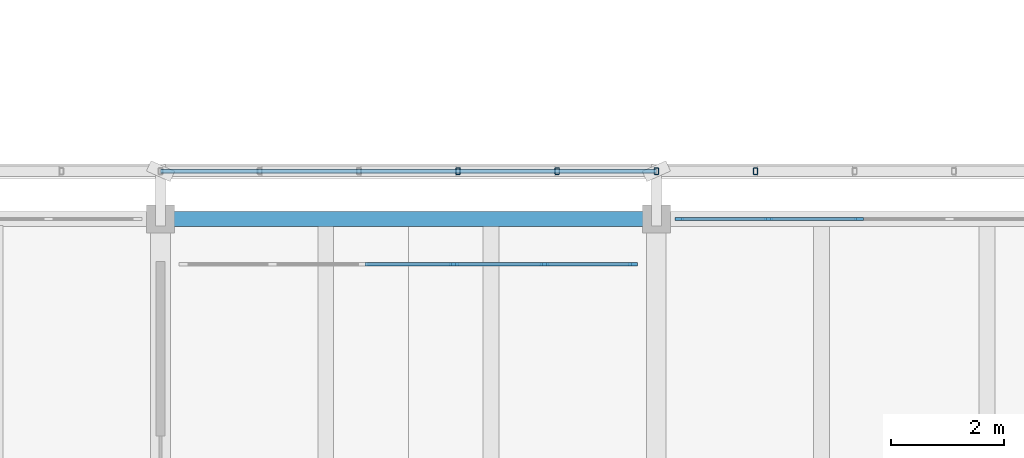
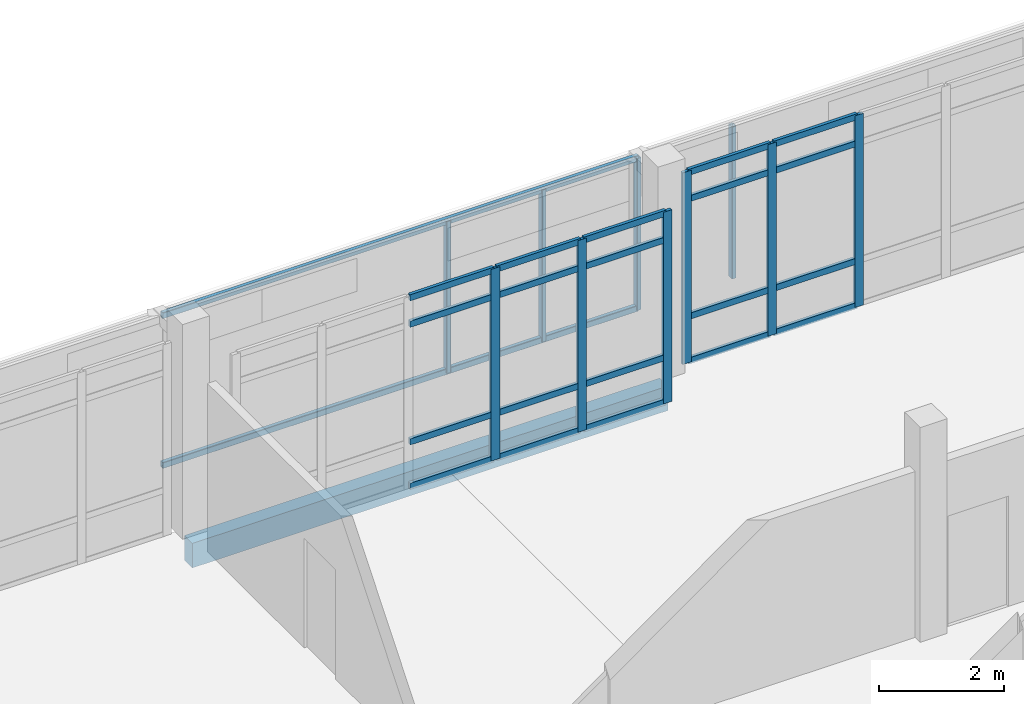
# One storey, part 30 of 137: 32 members, 1 beam, 2 elements without a shape of their own.
"""IFC4 building model written with IfcOpenShell, lengths in metres."""

from ifc_helpers import new_model, si_unit, direction, frame, origin, origin_2d, place, context, subcontext, project, spatial, rectangle, hollow_rectangle, extrude, material, material_profile, profile_set, type_object, element, aggregate, save


model = new_model("IFC4")

# Units and contexts
model_context = context("Model", 3, precision=1e-05, world=origin(), true_north=direction((0.0, 1.0)))
body_context = subcontext(model_context, "Body", "Model", "MODEL_VIEW")
ifc_project = project(units=[si_unit("LENGTHUNIT", "METRE"), si_unit("AREAUNIT", "SQUARE_METRE"), si_unit("VOLUMEUNIT", "CUBIC_METRE"), si_unit("PLANEANGLEUNIT", "RADIAN"), si_unit("MASSUNIT", "GRAM", prefix="KILO")], contexts=[model_context])

# Site, building, storey
site_placement = place(None, origin())
site = spatial("IfcSite", under=ifc_project, at=site_placement, CompositionType="ELEMENT")
building_placement = place(site_placement, origin())
building = spatial("IfcBuilding", under=site, at=building_placement, Name="Cinderway Yard Community Centre", CompositionType="ELEMENT")
storey_placement = place(building_placement, frame((0.0, 0.0, 4.800048828125)))
storey = spatial("IfcBuildingStorey", under=building, at=storey_placement, Name="L01", CompositionType="ELEMENT", Elevation=4.800048828125)

# Curtain wall, members
ifc_material_1 = material(Name="Aluminium 6063-T6", Category="aluminium")
curtain_wall_type = type_object("IfcCurtainWallType", Name="ENV-CW-TYPE-27", PredefinedType="USERDEFINED", material=ifc_material_1)
curtain_wall_1_placement = place(storey_placement, origin())
curtain_wall_1 = element("IfcCurtainWall", 1, at=curtain_wall_1_placement, inside=storey, type_object=curtain_wall_type, Name="Dining Courtyard Curtain Wall ENV-CW-L01-ST-0096", ObjectType="GLAZED CURTAIN WALL", PredefinedType="USERDEFINED")
ifc_material_profile_1 = material_profile(ifc_material_1, rectangle(XDim=0.06005859375, YDim=0.159912109375, at=origin_2d()), Name="Aluminium 6063-T6")
ifc_profile_set_1 = profile_set([ifc_material_profile_1], Name="Aluminium 6063-T6")
member_type_1 = type_object("IfcMemberType", Name="ENV-CW-MULL-150", PredefinedType="MULLION", material=ifc_profile_set_1)
member_1_placement = place(storey_placement, frame((89.2041015625, 22.0, 0.0), z_axis=(0.0, 0.0, 1.0), x_axis=(0.0, 1.0, 0.0)))
member_1 = element("IfcMember", 2, at=member_1_placement, type_object=member_type_1, Name="CW-27 mullion 4", PredefinedType="MULLION", context=body_context, shape_type="SweptSolid", body=[
    extrude(rectangle(XDim=0.06005859375, YDim=0.159912109375, at=origin_2d()), origin(), (0.0, 0.0, 1.0), 3.75),
])
member_2_placement = place(storey_placement, frame((90.81201171875, 22.0, 0.0), z_axis=(0.0, 0.0, 1.0), x_axis=(0.0, 1.0, 0.0)))
member_2 = element("IfcMember", 3, at=member_2_placement, type_object=member_type_1, Name="CW-27 mullion 5", PredefinedType="MULLION", context=body_context, shape_type="SweptSolid", body=[
    extrude(rectangle(XDim=0.06005859375, YDim=0.159912109375, at=origin_2d()), origin(), (0.0, 0.0, 1.0), 3.75),
])
member_3_placement = place(storey_placement, frame((92.389892578125, 22.0, 0.0), z_axis=(0.0, 0.0, 1.0), x_axis=(0.0, 1.0, 0.0)))
member_3 = element("IfcMember", 4, at=member_3_placement, type_object=member_type_1, Name="CW-27 mullion 6", PredefinedType="MULLION", context=body_context, shape_type="SweptSolid", body=[
    extrude(rectangle(XDim=0.06005859375, YDim=0.159912109375, at=origin_2d()), origin(), (0.0, 0.0, 1.0), 3.75),
])

curtain_wall_2_placement = place(storey_placement, origin())
curtain_wall_2 = element("IfcCurtainWall", 5, at=curtain_wall_2_placement, inside=storey, type_object=curtain_wall_type, Name="Dining Courtyard Curtain Wall ENV-CW-L01-ST-0097", ObjectType="GLAZED CURTAIN WALL", PredefinedType="USERDEFINED")
member_4_placement = place(storey_placement, frame((93.2099609375, 22.800048828125, 0.0), z_axis=(0.0, 0.0, 1.0), x_axis=(0.0, 1.0, 0.0)))
member_4 = element("IfcMember", 6, at=member_4_placement, type_object=member_type_1, Name="CW-27 mullion 1", PredefinedType="MULLION", context=body_context, shape_type="SweptSolid", body=[
    extrude(rectangle(XDim=0.06005859375, YDim=0.159912109375, at=origin_2d()), origin(), (0.0, 0.0, 1.0), 3.75),
])
member_5_placement = place(storey_placement, frame((94.7880859375, 22.800048828125, 0.0), z_axis=(0.0, 0.0, 1.0), x_axis=(0.0, 1.0, 0.0)))
member_5 = element("IfcMember", 7, at=member_5_placement, type_object=member_type_1, Name="CW-27 mullion 2", PredefinedType="MULLION", context=body_context, shape_type="SweptSolid", body=[
    extrude(rectangle(XDim=0.06005859375, YDim=0.159912109375, at=origin_2d()), origin(), (0.0, 0.0, 1.0), 3.75),
])
member_6_placement = place(storey_placement, frame((96.39599609375, 22.800048828125, 0.0), z_axis=(0.0, 0.0, 1.0), x_axis=(0.0, 1.0, 0.0)))
member_6 = element("IfcMember", 8, at=member_6_placement, type_object=member_type_1, Name="CW-27 mullion 3", PredefinedType="MULLION", context=body_context, shape_type="SweptSolid", body=[
    extrude(rectangle(XDim=0.06005859375, YDim=0.159912109375, at=origin_2d()), origin(), (0.0, 0.0, 1.0), 3.75),
])

# Member
ifc_material_profile_2 = material_profile(ifc_material_1, rectangle(XDim=0.06005859375, YDim=0.1201171875, at=origin_2d()), Name="Aluminium 6063-T6")
ifc_profile_set_2 = profile_set([ifc_material_profile_2], Name="Aluminium 6063-T6")
member_type_2 = type_object("IfcMemberType", Name="ENV-CW-TRAN-110", PredefinedType="USERDEFINED", material=ifc_profile_set_2)
member_7_placement = place(storey_placement, frame((87.6259765625, 22.0, 0.030029296875), z_axis=(1.0, 0.0, 0.0), x_axis=(0.0, 1.0, 0.0)))
member_7 = element("IfcMember", 9, at=member_7_placement, type_object=member_type_2, Name="CW-27 transom 3.1", ObjectType="TRANSOM", PredefinedType="USERDEFINED", context=body_context, shape_type="SweptSolid", body=[
    extrude(rectangle(XDim=0.06005859375, YDim=0.1201171875, at=origin_2d()), origin(), (0.0, 0.0, 1.0), 1.548095703125),
])

member_8_placement = place(storey_placement, frame((87.6259765625, 22.0, 0.89990234375), z_axis=(1.0, 0.0, 0.0), x_axis=(0.0, 1.0, 0.0)))
member_8 = element("IfcMember", 10, at=member_8_placement, type_object=member_type_2, Name="CW-27 transom 3.2", ObjectType="TRANSOM", PredefinedType="USERDEFINED", context=body_context, shape_type="SweptSolid", body=[
    extrude(rectangle(XDim=0.06005859375, YDim=0.1201171875, at=origin_2d()), origin(), (0.0, 0.0, 1.0), 1.548095703125),
])

member_9_placement = place(storey_placement, frame((87.6259765625, 22.0, 3.199951171875), z_axis=(1.0, 0.0, 0.0), x_axis=(0.0, 1.0, 0.0)))
member_9 = element("IfcMember", 11, at=member_9_placement, type_object=member_type_2, Name="CW-27 transom 3.3", ObjectType="TRANSOM", PredefinedType="USERDEFINED", context=body_context, shape_type="SweptSolid", body=[
    extrude(rectangle(XDim=0.06005859375, YDim=0.1201171875, at=origin_2d()), origin(), (0.0, 0.0, 1.0), 1.548095703125),
])

member_10_placement = place(storey_placement, frame((87.6259765625, 22.0, 3.719970703125), z_axis=(1.0, 0.0, 0.0), x_axis=(0.0, 1.0, 0.0)))
member_10 = element("IfcMember", 12, at=member_10_placement, type_object=member_type_2, Name="CW-27 transom 3.4", ObjectType="TRANSOM", PredefinedType="USERDEFINED", context=body_context, shape_type="SweptSolid", body=[
    extrude(rectangle(XDim=0.06005859375, YDim=0.1201171875, at=origin_2d()), origin(), (0.0, 0.0, 1.0), 1.548095703125),
])

member_11_placement = place(storey_placement, frame((89.23388671875, 22.0, 0.030029296875), z_axis=(1.0, 0.0, 0.0), x_axis=(0.0, 1.0, 0.0)))
member_11 = element("IfcMember", 13, at=member_11_placement, type_object=member_type_2, Name="CW-27 transom 4.1", ObjectType="TRANSOM", PredefinedType="USERDEFINED", context=body_context, shape_type="SweptSolid", body=[
    extrude(rectangle(XDim=0.06005859375, YDim=0.1201171875, at=origin_2d()), origin(), (0.0, 0.0, 1.0), 1.548095703125),
])

member_12_placement = place(storey_placement, frame((89.23388671875, 22.0, 0.89990234375), z_axis=(1.0, 0.0, 0.0), x_axis=(0.0, 1.0, 0.0)))
member_12 = element("IfcMember", 14, at=member_12_placement, type_object=member_type_2, Name="CW-27 transom 4.2", ObjectType="TRANSOM", PredefinedType="USERDEFINED", context=body_context, shape_type="SweptSolid", body=[
    extrude(rectangle(XDim=0.06005859375, YDim=0.1201171875, at=origin_2d()), origin(), (0.0, 0.0, 1.0), 1.548095703125),
])

member_13_placement = place(storey_placement, frame((89.23388671875, 22.0, 3.199951171875), z_axis=(1.0, 0.0, 0.0), x_axis=(0.0, 1.0, 0.0)))
member_13 = element("IfcMember", 15, at=member_13_placement, type_object=member_type_2, Name="CW-27 transom 4.3", ObjectType="TRANSOM", PredefinedType="USERDEFINED", context=body_context, shape_type="SweptSolid", body=[
    extrude(rectangle(XDim=0.06005859375, YDim=0.1201171875, at=origin_2d()), origin(), (0.0, 0.0, 1.0), 1.548095703125),
])

member_14_placement = place(storey_placement, frame((89.23388671875, 22.0, 3.719970703125), z_axis=(1.0, 0.0, 0.0), x_axis=(0.0, 1.0, 0.0)))
member_14 = element("IfcMember", 16, at=member_14_placement, type_object=member_type_2, Name="CW-27 transom 4.4", ObjectType="TRANSOM", PredefinedType="USERDEFINED", context=body_context, shape_type="SweptSolid", body=[
    extrude(rectangle(XDim=0.06005859375, YDim=0.1201171875, at=origin_2d()), origin(), (0.0, 0.0, 1.0), 1.548095703125),
])

member_15_placement = place(storey_placement, frame((90.842041015625, 22.0, 0.030029296875), z_axis=(1.0, 0.0, 0.0), x_axis=(0.0, 1.0, 0.0)))
member_15 = element("IfcMember", 17, at=member_15_placement, type_object=member_type_2, Name="CW-27 transom 5.1", ObjectType="TRANSOM", PredefinedType="USERDEFINED", context=body_context, shape_type="SweptSolid", body=[
    extrude(rectangle(XDim=0.06005859375, YDim=0.1201171875, at=origin_2d()), origin(), (0.0, 0.0, 1.0), 1.51806640625),
])

member_16_placement = place(storey_placement, frame((90.842041015625, 22.0, 0.89990234375), z_axis=(1.0, 0.0, 0.0), x_axis=(0.0, 1.0, 0.0)))
member_16 = element("IfcMember", 18, at=member_16_placement, type_object=member_type_2, Name="CW-27 transom 5.2", ObjectType="TRANSOM", PredefinedType="USERDEFINED", context=body_context, shape_type="SweptSolid", body=[
    extrude(rectangle(XDim=0.06005859375, YDim=0.1201171875, at=origin_2d()), origin(), (0.0, 0.0, 1.0), 1.51806640625),
])

member_17_placement = place(storey_placement, frame((90.842041015625, 22.0, 3.199951171875), z_axis=(1.0, 0.0, 0.0), x_axis=(0.0, 1.0, 0.0)))
member_17 = element("IfcMember", 19, at=member_17_placement, type_object=member_type_2, Name="CW-27 transom 5.3", ObjectType="TRANSOM", PredefinedType="USERDEFINED", context=body_context, shape_type="SweptSolid", body=[
    extrude(rectangle(XDim=0.06005859375, YDim=0.1201171875, at=origin_2d()), origin(), (0.0, 0.0, 1.0), 1.51806640625),
])

member_18_placement = place(storey_placement, frame((90.842041015625, 22.0, 3.719970703125), z_axis=(1.0, 0.0, 0.0), x_axis=(0.0, 1.0, 0.0)))
member_18 = element("IfcMember", 20, at=member_18_placement, type_object=member_type_2, Name="CW-27 transom 5.4", ObjectType="TRANSOM", PredefinedType="USERDEFINED", context=body_context, shape_type="SweptSolid", body=[
    extrude(rectangle(XDim=0.06005859375, YDim=0.1201171875, at=origin_2d()), origin(), (0.0, 0.0, 1.0), 1.51806640625),
])

aggregate(curtain_wall_1, [member_1, member_2, member_3, member_7, member_8, member_9, member_10, member_11, member_12, member_13, member_14, member_15, member_16, member_17, member_18])

member_19_placement = place(storey_placement, frame((93.239990234375, 22.800048828125, 0.030029296875), z_axis=(1.0, 0.0, 0.0), x_axis=(0.0, 1.0, 0.0)))
member_19 = element("IfcMember", 21, at=member_19_placement, type_object=member_type_2, Name="CW-27 transom 1.1", ObjectType="TRANSOM", PredefinedType="USERDEFINED", context=body_context, shape_type="SweptSolid", body=[
    extrude(rectangle(XDim=0.06005859375, YDim=0.1201171875, at=origin_2d()), origin(), (0.0, 0.0, 1.0), 1.51806640625),
])

member_20_placement = place(storey_placement, frame((93.239990234375, 22.800048828125, 0.89990234375), z_axis=(1.0, 0.0, 0.0), x_axis=(0.0, 1.0, 0.0)))
member_20 = element("IfcMember", 22, at=member_20_placement, type_object=member_type_2, Name="CW-27 transom 1.2", ObjectType="TRANSOM", PredefinedType="USERDEFINED", context=body_context, shape_type="SweptSolid", body=[
    extrude(rectangle(XDim=0.06005859375, YDim=0.1201171875, at=origin_2d()), origin(), (0.0, 0.0, 1.0), 1.51806640625),
])

member_21_placement = place(storey_placement, frame((93.239990234375, 22.800048828125, 3.199951171875), z_axis=(1.0, 0.0, 0.0), x_axis=(0.0, 1.0, 0.0)))
member_21 = element("IfcMember", 23, at=member_21_placement, type_object=member_type_2, Name="CW-27 transom 1.3", ObjectType="TRANSOM", PredefinedType="USERDEFINED", context=body_context, shape_type="SweptSolid", body=[
    extrude(rectangle(XDim=0.06005859375, YDim=0.1201171875, at=origin_2d()), origin(), (0.0, 0.0, 1.0), 1.51806640625),
])

member_22_placement = place(storey_placement, frame((93.239990234375, 22.800048828125, 3.719970703125), z_axis=(1.0, 0.0, 0.0), x_axis=(0.0, 1.0, 0.0)))
member_22 = element("IfcMember", 24, at=member_22_placement, type_object=member_type_2, Name="CW-27 transom 1.4", ObjectType="TRANSOM", PredefinedType="USERDEFINED", context=body_context, shape_type="SweptSolid", body=[
    extrude(rectangle(XDim=0.06005859375, YDim=0.1201171875, at=origin_2d()), origin(), (0.0, 0.0, 1.0), 1.51806640625),
])

member_23_placement = place(storey_placement, frame((94.818115234375, 22.800048828125, 0.030029296875), z_axis=(1.0, 0.0, 0.0), x_axis=(0.0, 1.0, 0.0)))
member_23 = element("IfcMember", 25, at=member_23_placement, type_object=member_type_2, Name="CW-27 transom 2.1", ObjectType="TRANSOM", PredefinedType="USERDEFINED", context=body_context, shape_type="SweptSolid", body=[
    extrude(rectangle(XDim=0.06005859375, YDim=0.1201171875, at=origin_2d()), origin(), (0.0, 0.0, 1.0), 1.5478515625),
])

member_24_placement = place(storey_placement, frame((94.818115234375, 22.800048828125, 0.89990234375), z_axis=(1.0, 0.0, 0.0), x_axis=(0.0, 1.0, 0.0)))
member_24 = element("IfcMember", 26, at=member_24_placement, type_object=member_type_2, Name="CW-27 transom 2.2", ObjectType="TRANSOM", PredefinedType="USERDEFINED", context=body_context, shape_type="SweptSolid", body=[
    extrude(rectangle(XDim=0.06005859375, YDim=0.1201171875, at=origin_2d()), origin(), (0.0, 0.0, 1.0), 1.5478515625),
])

member_25_placement = place(storey_placement, frame((94.818115234375, 22.800048828125, 3.199951171875), z_axis=(1.0, 0.0, 0.0), x_axis=(0.0, 1.0, 0.0)))
member_25 = element("IfcMember", 27, at=member_25_placement, type_object=member_type_2, Name="CW-27 transom 2.3", ObjectType="TRANSOM", PredefinedType="USERDEFINED", context=body_context, shape_type="SweptSolid", body=[
    extrude(rectangle(XDim=0.06005859375, YDim=0.1201171875, at=origin_2d()), origin(), (0.0, 0.0, 1.0), 1.5478515625),
])

member_26_placement = place(storey_placement, frame((94.818115234375, 22.800048828125, 3.719970703125), z_axis=(1.0, 0.0, 0.0), x_axis=(0.0, 1.0, 0.0)))
member_26 = element("IfcMember", 28, at=member_26_placement, type_object=member_type_2, Name="CW-27 transom 2.4", ObjectType="TRANSOM", PredefinedType="USERDEFINED", context=body_context, shape_type="SweptSolid", body=[
    extrude(rectangle(XDim=0.06005859375, YDim=0.1201171875, at=origin_2d()), origin(), (0.0, 0.0, 1.0), 1.5478515625),
])

aggregate(curtain_wall_2, [member_4, member_5, member_6, member_19, member_20, member_21, member_22, member_23, member_24, member_25, member_26])

# Members
ifc_material_2 = material(Name="Steel S355", Category="steel")
ifc_material_profile_3 = material_profile(ifc_material_2, hollow_rectangle(XDim=0.080078125, YDim=0.1201171875, WallThickness=0.00634765625, InnerFilletRadius=0.00634765625, OuterFilletRadius=0.0126953125, at=origin_2d()), Name="Steel S355")
ifc_profile_set_3 = profile_set([ifc_material_profile_3], Name="Steel S355")
member_type_3 = type_object("IfcMemberType", Name="ENV-MEM-SCREEN-RAIL-120", PredefinedType="STRINGER", material=ifc_profile_set_3)
for number, where, z_axis, x_axis, name in (
    (29, (84.0, 23.64990234375, 0.7099609375), (1.0, 0.0, 0.0), (0.0, 1.0, 0.0), "Screen support rail 0618-BOT"),
    (30, (84.0, 23.64990234375, 3.639892578125), (1.0, 0.0, 0.0), (0.0, 1.0, 0.0), "Screen support rail 0619-TOP"),
):
    element("IfcMember", number, at=place(storey_placement, frame(where, z_axis=z_axis, x_axis=x_axis)), inside=storey, type_object=member_type_3, Name=name, PredefinedType="STRINGER", context=body_context, shape_type="SweptSolid", body=[
        extrude(hollow_rectangle(XDim=0.080078125, YDim=0.1201171875, WallThickness=0.00634765625, InnerFilletRadius=0.00634765625, OuterFilletRadius=0.0126953125, at=origin_2d()), origin(), (0.0, 0.0, 1.0), 8.800048828125),
    ])
for number, where, z_axis, x_axis, name in (
    (31, (89.280029296875, 23.64990234375, 0.68994140625), (0.0, 0.0, 1.0), (1.0, 0.0, 0.0), "Screen vertical mullion 0622"),
    (32, (91.0400390625, 23.64990234375, 0.68994140625), (0.0, 0.0, 1.0), (1.0, 0.0, 0.0), "Screen vertical mullion 0623"),
    (33, (92.800048828125, 23.64990234375, 0.68994140625), (0.0, 0.0, 1.0), (1.0, 0.0, 0.0), "Screen vertical mullion 0624"),
    (34, (94.56005859375, 23.64990234375, 0.68994140625), (0.0, 0.0, 1.0), (1.0, 0.0, 0.0), "Screen vertical mullion 0628"),
):
    element("IfcMember", number, at=place(storey_placement, frame(where, z_axis=z_axis, x_axis=x_axis)), inside=storey, type_object=member_type_3, Name=name, PredefinedType="STRINGER", context=body_context, shape_type="SweptSolid", body=[
        extrude(hollow_rectangle(XDim=0.080078125, YDim=0.1201171875, WallThickness=0.00634765625, InnerFilletRadius=0.00634765625, OuterFilletRadius=0.0126953125, at=origin_2d()), origin(), (0.0, 0.0, 1.0), 2.969970703125),
    ])

# Beam
ifc_material_3 = material(Name="Concrete C40/50", Category="concrete")
ifc_material_profile_4 = material_profile(ifc_material_3, rectangle(XDim=0.260009765625, YDim=0.47998046875, at=origin_2d()), Name="Concrete C40/50")
ifc_profile_set_4 = profile_set([ifc_material_profile_4], Name="Concrete C40/50")
beam_type = type_object("IfcBeamType", Name="STR-BM-RC260X480", PredefinedType="SPANDREL", material=ifc_profile_set_4)
beam_placement = place(storey_placement, frame((84.0, 22.800048828125, -0.47998046875), z_axis=(1.0, 0.0, 0.0), x_axis=(0.0, 1.0, 0.0)))
element("IfcBeam", 35, at=beam_placement, inside=storey, type_object=beam_type, Name="Primary girder STR-BM-L01-SP01-0128", PredefinedType="SPANDREL", context=body_context, shape_type="SweptSolid", body=[
    extrude(rectangle(XDim=0.260009765625, YDim=0.47998046875, at=origin_2d()), origin(), (0.0, 0.0, 1.0), 8.800048828125),
])

save(model, "model.ifc")
